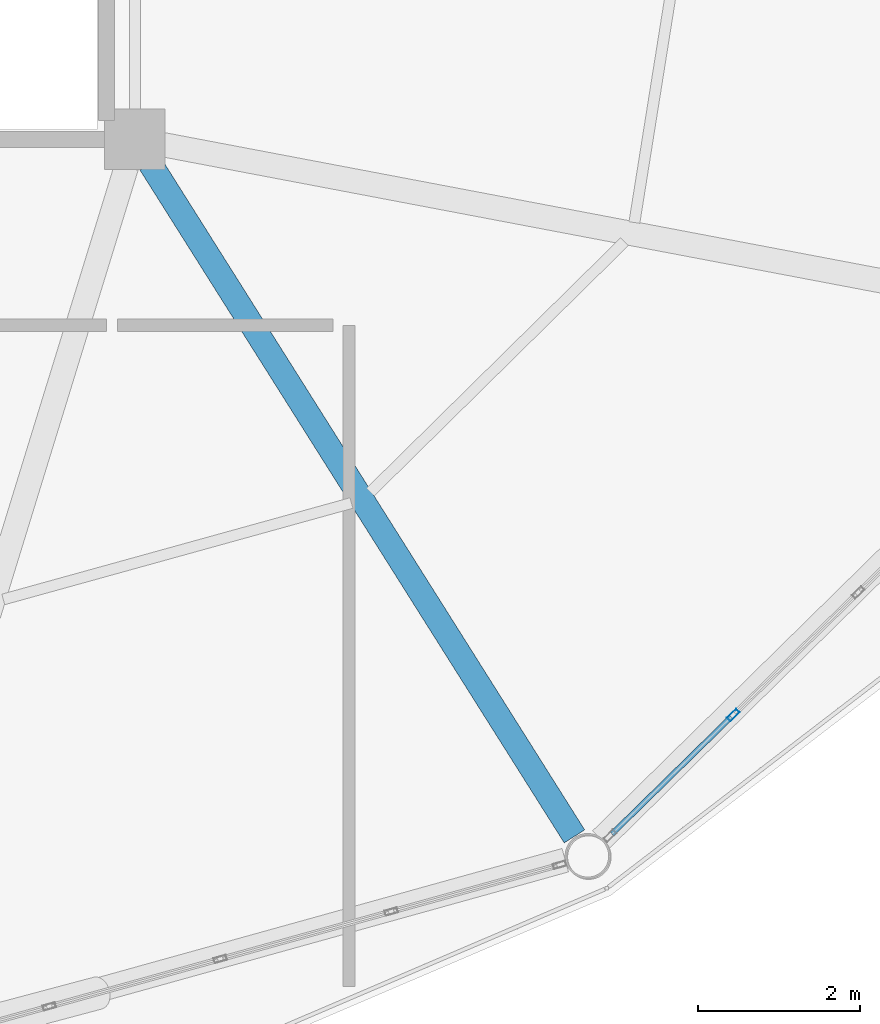
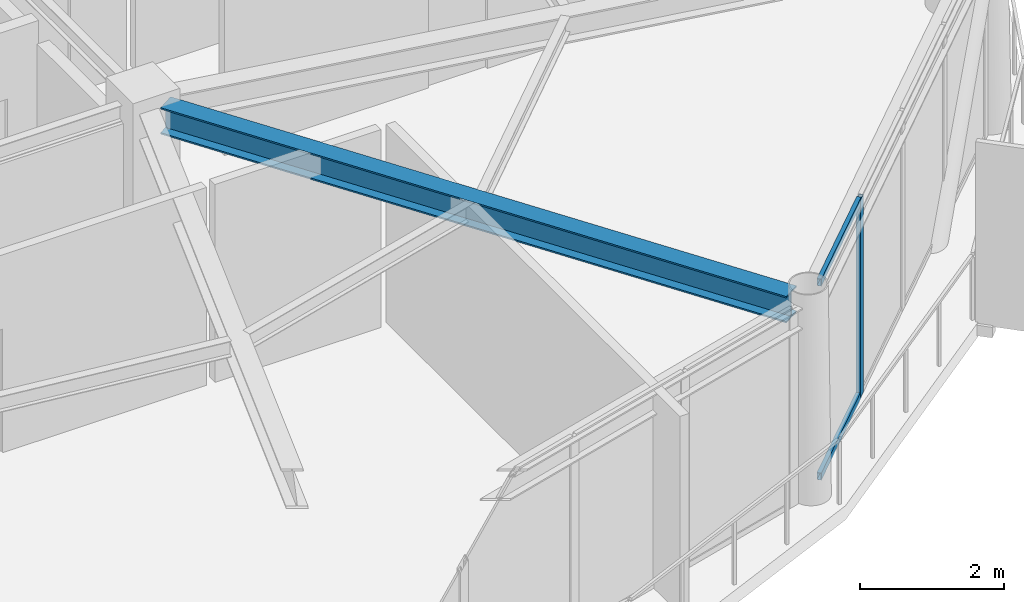
# One storey, part 8 of 26: 3 members, 1 beam, 1 element without a shape of its own.
"""IFC4 building model written with IfcOpenShell, lengths in metres."""

import ifcopenshell
import ifcopenshell.guid

model = None  # the IFC model being written
_history = None  # IfcOwnerHistory: only IFC2X3 demands one
_inside = {}  # id of a spatial element -> (the spatial element, [elements in it])
_under = {}  # id of a project, library or spatial element -> (it, [spatial elements below it])
_declared = {}  # id of a project -> (the project, [libraries it declares])
_typed = {}  # id of a type object -> (the type object, [elements of that type])
_made_of = {}  # id of a material, layer set ... -> (it, [elements and type objects made of it])


def new_model(schema):
    """Start an empty IFC model of exactly this schema.

    Asked for "IFC4X3", IfcOpenShell would pick the latest addendum, in which some entities
    have other attributes; the version numbers below select the first issue.
    IFC2X3 requires an IfcOwnerHistory on every rooted entity: one is made here for all.
    """
    global model, _history
    if schema == "IFC4X3":
        model = ifcopenshell.file(schema_version=(4, 3, 0, 0))
    else:
        model = ifcopenshell.file(schema=schema)
    _inside.clear()
    _under.clear()
    _declared.clear()
    _typed.clear()
    _made_of.clear()
    _history = None
    if model.schema == "IFC2X3":
        org = make("IfcOrganization", Name="unknown")
        user = make(
            "IfcPersonAndOrganization",
            ThePerson=make("IfcPerson", FamilyName="unknown"),
            TheOrganization=org,
        )
        app = make(
            "IfcApplication",
            ApplicationDeveloper=org,
            Version="unknown",
            ApplicationFullName="unknown",
            ApplicationIdentifier="unknown",
        )
        _history = make(
            "IfcOwnerHistory",
            OwningUser=user,
            OwningApplication=app,
            ChangeAction="ADDED",
            CreationDate=0,
        )
    return model


def make(cls, **values):
    """One entity of the class cls with the attributes given. An attribute that is None is left unset."""
    return model.create_entity(
        cls, **{name: value for name, value in values.items() if value is not None}
    )


def rooted(cls, **values):
    """An entity with a GlobalId (a new one), such as an element, a storey or a relation."""
    return make(cls, GlobalId=ifcopenshell.guid.new(), OwnerHistory=_history, **values)


def si_unit(unit_type, name, prefix=None):
    """IfcSIUnit, for example si_unit("LENGTHUNIT", "METRE", prefix="MILLI")."""
    return make("IfcSIUnit", UnitType=unit_type, Prefix=prefix, Name=name)


def assignment(units):
    """IfcUnitAssignment: the units of a project."""
    return None if units is None else make("IfcUnitAssignment", Units=units)


def point(xyz):
    """IfcCartesianPoint."""
    return None if xyz is None else make("IfcCartesianPoint", Coordinates=xyz)


def direction(xyz):
    """IfcDirection."""
    return None if xyz is None else make("IfcDirection", DirectionRatios=xyz)


def frame(location, z_axis=None, x_axis=None):
    """IfcAxis2Placement3D, a coordinate frame: its origin and axes. An axis left out is left unset."""
    return make(
        "IfcAxis2Placement3D",
        Location=point(location),
        Axis=direction(z_axis),
        RefDirection=direction(x_axis),
    )


def frame_2d(location, x_axis=None):
    """IfcAxis2Placement2D, a coordinate frame in the plane: its origin and x axis."""
    return make(
        "IfcAxis2Placement2D", Location=point(location), RefDirection=direction(x_axis)
    )


def origin():
    """The frame at (0, 0, 0) with its axes left unset."""
    return frame((0.0, 0.0, 0.0))


def origin_2d():
    """The frame at (0, 0) in the plane with its x axis left unset."""
    return frame_2d((0.0, 0.0))


def place(relative_to, where):
    """IfcLocalPlacement: puts the frame where relative to a parent placement (None: the world)."""
    return make(
        "IfcLocalPlacement", PlacementRelTo=relative_to, RelativePlacement=where
    )


def context(
    kind, dimensions, precision=None, world=None, true_north=None, identifier=None
):
    """IfcGeometricRepresentationContext, for example the 3D "Model" context."""
    return make(
        "IfcGeometricRepresentationContext",
        ContextIdentifier=identifier,
        ContextType=kind,
        CoordinateSpaceDimension=dimensions,
        Precision=precision,
        WorldCoordinateSystem=world,
        TrueNorth=true_north,
    )


def subcontext(parent, identifier, kind, view, scale=None):
    """IfcGeometricRepresentationSubContext, for example "Body" below "Model"."""
    return make(
        "IfcGeometricRepresentationSubContext",
        ContextIdentifier=identifier,
        ContextType=kind,
        ParentContext=parent,
        TargetScale=scale,
        TargetView=view,
    )


def project(units=None, contexts=None):
    """IfcProject with its units and contexts."""
    return rooted(
        "IfcProject",
        Name="project",
        RepresentationContexts=contexts,
        UnitsInContext=assignment(units),
    )


def spatial(cls, under=None, at=None, **own):
    """A site, building, storey or space (cls), placed at a placement, below another one or the project."""
    s = rooted(cls, ObjectPlacement=at, **own)
    if under is not None:
        _under.setdefault(under.id(), (under, []))[1].append(s)
    return s


def profile(cls, at=None, kind="AREA", **sizes):
    """A parametric profile (cls). Its sizes go by their IFC names, for example OverallWidth=200.0."""
    return make(cls, ProfileType=kind, Position=at, **sizes)


def hollow_rectangle(**sizes):
    """IfcRectangleHollowProfileDef."""
    return profile("IfcRectangleHollowProfileDef", **sizes)


def i_section(**sizes):
    """IfcIShapeProfileDef."""
    return profile("IfcIShapeProfileDef", **sizes)


def extrude(swept, where, along, depth):
    """IfcExtrudedAreaSolid: the profile swept, set in the frame where, extruded along a direction by depth."""
    return make(
        "IfcExtrudedAreaSolid",
        SweptArea=swept,
        Position=where,
        ExtrudedDirection=direction(along),
        Depth=depth,
    )


def shape(context_of_items, identifier, shape_type, items):
    """IfcShapeRepresentation: the items that make up one representation, for example the "Body"."""
    return make(
        "IfcShapeRepresentation",
        ContextOfItems=context_of_items,
        RepresentationIdentifier=identifier,
        RepresentationType=shape_type,
        Items=items,
    )


def material(Name=None, Category=None):
    """IfcMaterial."""
    return make("IfcMaterial", Name=Name, Category=Category)


def layer(
    of_material, thickness, ventilated=None, Name=None, Category=None, Priority=None
):
    """IfcMaterialLayer: one layer of a wall or slab, of a material (None: an air gap)."""
    return make(
        "IfcMaterialLayer",
        Material=of_material,
        LayerThickness=thickness,
        IsVentilated=ventilated,
        Name=Name,
        Category=Category,
        Priority=Priority,
    )


def layer_set(layers, Name=None):
    """IfcMaterialLayerSet."""
    return make("IfcMaterialLayerSet", MaterialLayers=layers, LayerSetName=Name)


def material_profile(
    of_material, cross_section, Name=None, Category=None, Priority=None
):
    """IfcMaterialProfile: a cross section and its material."""
    return make(
        "IfcMaterialProfile",
        Name=Name,
        Material=of_material,
        Profile=cross_section,
        Priority=Priority,
        Category=Category,
    )


def profile_set(profiles, Name=None, composite=None):
    """IfcMaterialProfileSet."""
    return make(
        "IfcMaterialProfileSet",
        Name=Name,
        MaterialProfiles=profiles,
        CompositeProfile=composite,
    )


def made_of(thing, what):
    """Note that an element or type object is made of a material, layer set ...; save() writes the relation."""
    if what is not None:
        _made_of.setdefault(what.id(), (what, []))[1].append(thing)
    return thing


def type_object(cls, material=None, **own):
    """A type object (cls), such as IfcWallType, which elements share."""
    return made_of(rooted(cls, **own), material)


def element(
    cls,
    number,
    at=None,
    inside=None,
    cuts=None,
    type_object=None,
    material=None,
    context=None,
    identifier="Body",
    shape_type=None,
    held_by="IfcProductDefinitionShape",
    body=None,
    shapes=None,
    **own,
):
    """One element of the class cls, such as IfcWall. Its Tag is "e" and its number.

    at: its placement. inside: the storey or other place that contains it. cuts: it is an
    opening in that element (IfcRelVoidsElement). A single representation is given by context,
    identifier, shape_type and body (its items); several are given by shapes. held_by: the class
    of the entity that holds the representations. save() writes the other relations.
    """
    e = rooted(cls, Tag="e%d" % number, ObjectPlacement=at, **own)
    if body is not None:
        shapes = [shape(context, identifier, shape_type, body)]
    if shapes is not None:
        e.Representation = make(held_by, Representations=shapes)
    if inside is not None:
        _inside.setdefault(inside.id(), (inside, []))[1].append(e)
    if cuts is not None:
        rooted(
            "IfcRelVoidsElement", RelatingBuildingElement=cuts, RelatedOpeningElement=e
        )
    if type_object is not None:
        _typed.setdefault(type_object.id(), (type_object, []))[1].append(e)
    return made_of(e, material)


def aggregate(whole, parts):
    """IfcRelAggregates: a whole, such as a stair, and the parts it consists of."""
    return rooted("IfcRelAggregates", RelatingObject=whole, RelatedObjects=parts)


def save(model, path):
    """Write the relations noted so far, then the file.

    IfcRelAggregates (storeys below a building ...), IfcRelContainedInSpatialStructure (elements
    in a storey), IfcRelDefinesByType, IfcRelAssociatesMaterial and IfcRelDeclares: one each for
    every whole, place, type object, material and project.
    """
    for whole, parts in _under.values():
        aggregate(whole, parts)
    for where, things in _inside.values():
        rooted(
            "IfcRelContainedInSpatialStructure",
            RelatedElements=things,
            RelatingStructure=where,
        )
    for kind, things in _typed.values():
        rooted("IfcRelDefinesByType", RelatedObjects=things, RelatingType=kind)
    for what, things in _made_of.values():
        rooted("IfcRelAssociatesMaterial", RelatedObjects=things, RelatingMaterial=what)
    for by, libraries in _declared.values():
        rooted("IfcRelDeclares", RelatingContext=by, RelatedDefinitions=libraries)
    model.write(path)


model = new_model("IFC4")

# Units and contexts
model_context = context("Model", 3, precision=1e-05, world=origin(), true_north=direction((0.0, 1.0)))
body_context = subcontext(model_context, "Body", "Model", "MODEL_VIEW")
ifc_project = project(units=[si_unit("LENGTHUNIT", "METRE"), si_unit("AREAUNIT", "SQUARE_METRE"), si_unit("VOLUMEUNIT", "CUBIC_METRE"), si_unit("PLANEANGLEUNIT", "RADIAN"), si_unit("MASSUNIT", "GRAM", prefix="KILO")], contexts=[model_context])

# Site, building, storey
site_placement = place(None, origin())
site = spatial("IfcSite", under=ifc_project, at=site_placement, CompositionType="ELEMENT")
building_placement = place(site_placement, origin())
building = spatial("IfcBuilding", under=site, at=building_placement, Name="Varnakorn Sky Granary", CompositionType="ELEMENT")
storey_placement = place(building_placement, frame((0.0, 0.0, 256.199951171875)))
storey = spatial("IfcBuildingStorey", under=building, at=storey_placement, Name="L65", CompositionType="ELEMENT", Elevation=256.199951171875)

# Beam
ifc_material_1 = material(Name="Steel S355JR", Category="steel")
ifc_material_profile_1 = material_profile(ifc_material_1, i_section(OverallWidth=0.300048828125, OverallDepth=0.449951171875, WebThickness=0.013916015625, FlangeThickness=0.02587890625, at=origin_2d()), Name="HE 450 B")
ifc_profile_set_1 = profile_set([ifc_material_profile_1], Name="Steel S355JR")
beam_type = type_object("IfcBeamType", Name="BM-RAD-Z5", PredefinedType="BEAM", material=ifc_profile_set_1)
beam_placement = place(storey_placement, frame((8.539306640625, -6.900390625, 3.135009765625), z_axis=(0.533402827462, -0.845861350137, 0.0), x_axis=(0.845861350137, 0.533402827462, 0.0)))
element("IfcBeam", 1, at=beam_placement, inside=storey, type_object=beam_type, Name="Radial Floor Girder RG11 L65", PredefinedType="BEAM", context=body_context, shape_type="SweptSolid", body=[
    extrude(i_section(OverallWidth=0.300048828125, OverallDepth=0.449951171875, WebThickness=0.013916015625, FlangeThickness=0.02587890625, at=origin_2d()), origin(), (0.0, 0.0, 1.0), 9.8388671875),
])

# Curtain wall, members
ifc_material_2 = material(Name="Anodised Bronze Aluminium Alloy 6063-T6", Category="aluminium")
ifc_layer = layer(ifc_material_2, 0.159912109375, Name="Anodised Bronze Aluminium Alloy 6063-T6")
ifc_layer_set = layer_set([ifc_layer], Name="Anodised Bronze Aluminium Alloy 6063-T6")
curtain_wall_type = type_object("IfcCurtainWallType", Name="CW-OFF-1", PredefinedType="USERDEFINED", material=ifc_layer_set)
curtain_wall_placement = place(storey_placement, origin())
curtain_wall = element("IfcCurtainWall", 2, at=curtain_wall_placement, inside=storey, type_object=curtain_wall_type, Name="Unitised Curtain Wall CW6 CW-L65-B11", ObjectType="CURTAIN WALL", PredefinedType="USERDEFINED")
ifc_material_profile_2 = material_profile(ifc_material_2, hollow_rectangle(XDim=0.06494140625, YDim=0.159912109375, WallThickness=0.00341796875, at=origin_2d()), Name="ALU MULL 65x160")
ifc_profile_set_2 = profile_set([ifc_material_profile_2], Name="Anodised Bronze Aluminium Alloy 6063-T6")
member_type_1 = type_object("IfcMemberType", Name="CW-OFF-1-MULL", PredefinedType="MULLION", material=ifc_profile_set_2)
member_1_placement = place(storey_placement, frame((15.75146484375, -13.721923828125, 0.0), z_axis=(0.0, 0.0, 1.0), x_axis=(0.700118147913, -0.71402701557, 0.0)))
member_1 = element("IfcMember", 3, at=member_1_placement, type_object=member_type_1, Name="CW6 mullion 4", PredefinedType="MULLION", context=body_context, shape_type="SweptSolid", body=[
    extrude(hollow_rectangle(XDim=0.06494140625, YDim=0.159912109375, WallThickness=0.00341796875, at=origin_2d()), origin(), (0.0, 0.0, 1.0), 3.360107421875),
])
ifc_material_profile_3 = material_profile(ifc_material_2, hollow_rectangle(XDim=0.06494140625, YDim=0.1201171875, WallThickness=0.00341796875, at=origin_2d()), Name="ALU TRAN 65x120")
ifc_profile_set_3 = profile_set([ifc_material_profile_3], Name="Anodised Bronze Aluminium Alloy 6063-T6")
member_type_2 = type_object("IfcMemberType", Name="CW-OFF-1-TRAN", PredefinedType="USERDEFINED", material=ifc_profile_set_3)
member_2_placement = place(storey_placement, frame((15.728271484375, -13.74462890625, 0.032470703125), z_axis=(-0.714094820873, -0.700048988859, 0.0), x_axis=(0.700048988859, -0.714094820873, 0.0)))
member_2 = element("IfcMember", 4, at=member_2_placement, type_object=member_type_2, Name="CW6 transom 4.1", ObjectType="TRANSOM", PredefinedType="USERDEFINED", context=body_context, shape_type="SweptSolid", body=[
    extrude(hollow_rectangle(XDim=0.06494140625, YDim=0.1201171875, WallThickness=0.00341796875, at=origin_2d()), origin(), (0.0, 0.0, 1.0), 2.068359375),
])
member_3_placement = place(storey_placement, frame((15.728271484375, -13.74462890625, 3.32763671875), z_axis=(-0.714094820873, -0.700048988859, 0.0), x_axis=(0.700048988859, -0.714094820873, 0.0)))
member_3 = element("IfcMember", 5, at=member_3_placement, type_object=member_type_2, Name="CW6 transom 4.2", ObjectType="TRANSOM", PredefinedType="USERDEFINED", context=body_context, shape_type="SweptSolid", body=[
    extrude(hollow_rectangle(XDim=0.06494140625, YDim=0.1201171875, WallThickness=0.00341796875, at=origin_2d()), origin(), (0.0, 0.0, 1.0), 2.068359375),
])
aggregate(curtain_wall, [member_1, member_2, member_3])

save(model, "model.ifc")
